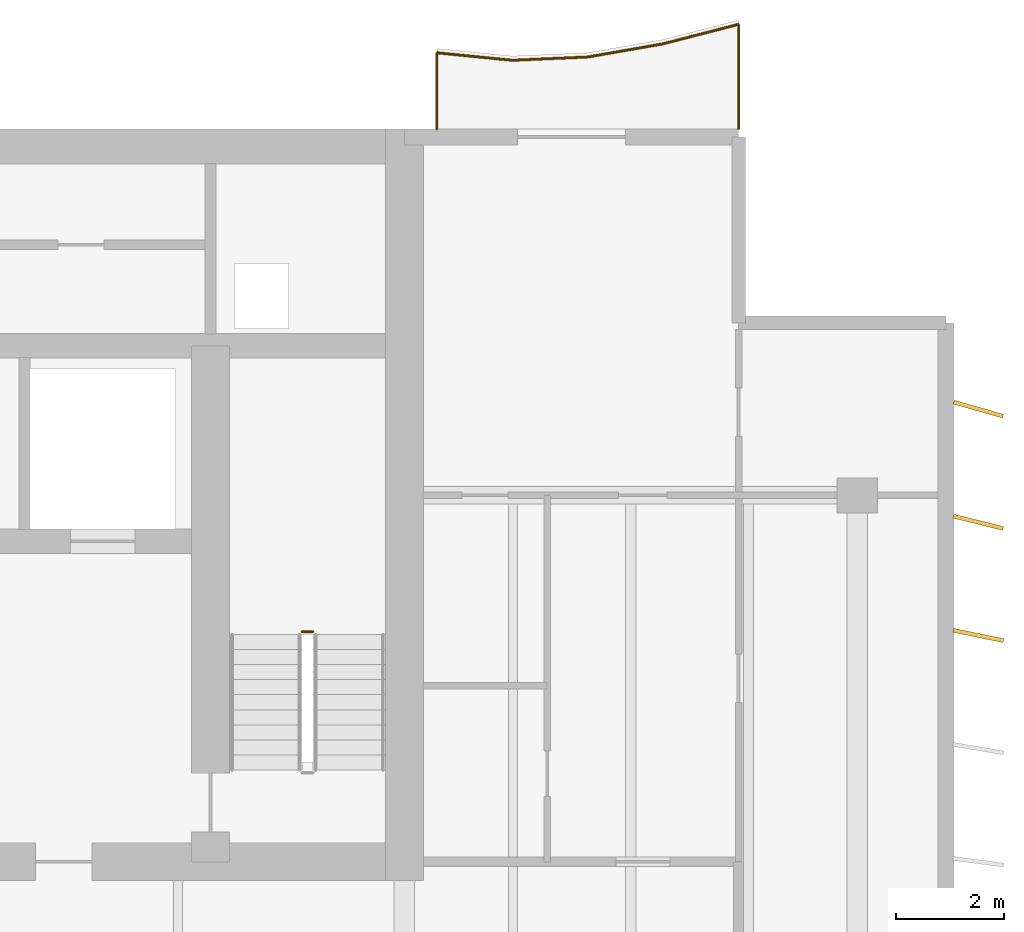
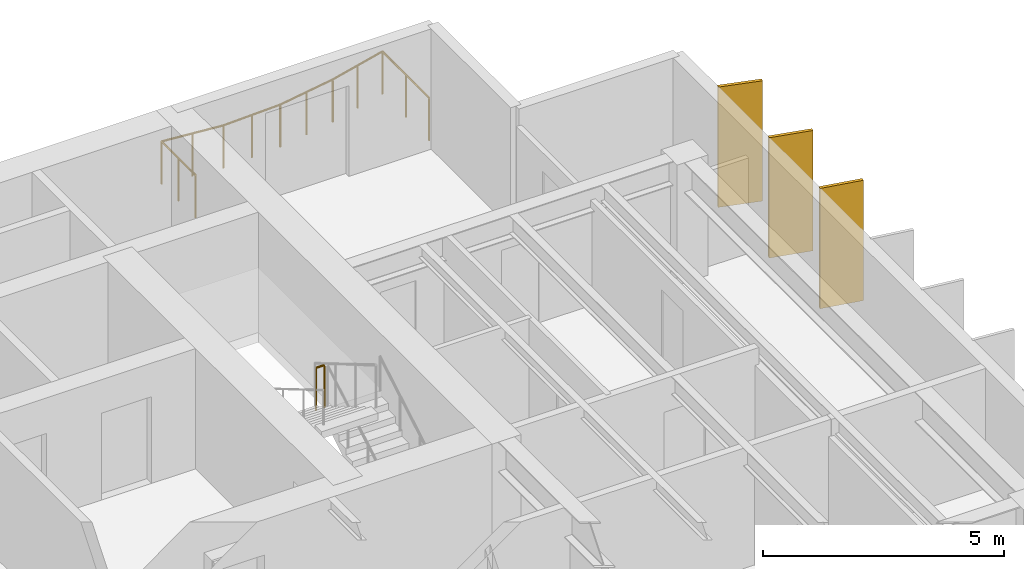
# One storey, part 16 of 16: 3 shading devices, 2 railings.
"""IFC4 building model written with IfcOpenShell, lengths in metres."""

from ifc_helpers import new_model, si_unit, direction, frame, origin, origin_2d, place, context, subcontext, project, spatial, rectangle, circle, extrude, material, material_profile, profile_set, type_object, element, save


model = new_model("IFC4")

# Units and contexts
model_context = context("Model", 3, precision=1e-05, world=origin(), true_north=direction((0.0, 1.0)))
body_context = subcontext(model_context, "Body", "Model", "MODEL_VIEW")
ifc_project = project(units=[si_unit("LENGTHUNIT", "METRE"), si_unit("AREAUNIT", "SQUARE_METRE"), si_unit("VOLUMEUNIT", "CUBIC_METRE"), si_unit("PLANEANGLEUNIT", "RADIAN"), si_unit("MASSUNIT", "GRAM", prefix="KILO")], contexts=[model_context])

# Site, building, storey
site_placement = place(None, origin())
site = spatial("IfcSite", under=ifc_project, at=site_placement, CompositionType="ELEMENT")
building_placement = place(site_placement, origin())
building = spatial("IfcBuilding", under=site, at=building_placement, Name="Caelmar Bay Residences", CompositionType="ELEMENT")
storey_placement = place(building_placement, frame((0.0, 0.0, 233.10009765625)))
storey = spatial("IfcBuildingStorey", under=building, at=storey_placement, Name="L65", CompositionType="ELEMENT", Elevation=233.10009765625)

# Railings
ifc_material_1 = material(Name="Anodised bronze handrail with laminated hurricane glass infill", Category="glass")
railing_type_1 = type_object("IfcRailingType", Name="RL-BAL-1100", PredefinedType="BALUSTRADE", material=ifc_material_1)
railing_1_placement = place(storey_placement, frame((65.699951171875, 50.60009765625, 0.0)))
element("IfcRailing", 1, at=railing_1_placement, inside=storey, type_object=railing_type_1, Name="L65 north_east Balcony Balustrade", PredefinedType="BALUSTRADE", context=body_context, shape_type="SweptSolid", body=[
    extrude(circle(Radius=0.02392578125, at=origin_2d()), frame((0.0, 0.0, 1.076171875), z_axis=(0.0, 1.0, 0.0), x_axis=(-1.0, 0.0, 0.0)), (0.0, 0.0, 1.0), 1.94140625),
    extrude(circle(Radius=0.02392578125, at=origin_2d()), frame((0.0, 1.94140625, 1.076171875), z_axis=(-0.968103147298, -0.250551983012, 0.0), x_axis=(0.250551983012, -0.968103147298, 0.0)), (0.0, 0.0, 1.0), 1.446044921875),
    extrude(circle(Radius=0.02392578125, at=origin_2d()), frame((-1.39990234375, 1.5791015625, 1.076171875), z_axis=(-0.985106932591, -0.171942814215, 0.0), x_axis=(0.171942814215, -0.985106932591, 0.0)), (0.0, 0.0, 1.0), 1.42138671875),
    extrude(circle(Radius=0.02392578125, at=origin_2d()), frame((-2.800048828125, 1.334716796875, 1.076171875), z_axis=(-0.999058458158, -0.043384296491, 0.0), x_axis=(0.043384296491, -0.999058458158, 0.0)), (0.0, 0.0, 1.0), 1.401123046875),
    extrude(circle(Radius=0.02392578125, at=origin_2d()), frame((-4.199951171875, 1.27392578125, 1.076171875), z_axis=(-0.99509543912, 0.098919497785, 0.0), x_axis=(-0.098919497785, -0.99509543912, 0.0)), (0.0, 0.0, 1.0), 1.40673828125),
    extrude(circle(Radius=0.02392578125, at=origin_2d()), frame((-5.599853515625, 1.4130859375, 1.076171875), z_axis=(0.0, -1.0, 0.0), x_axis=(1.0, 0.0, 0.0)), (0.0, 0.0, 1.0), 1.4130859375),
    extrude(circle(Radius=0.02099609375, at=origin_2d()), origin(), (0.0, 0.0, 1.0), 1.052001953125),
    extrude(circle(Radius=0.02099609375, at=origin_2d()), frame((0.0, 0.970703125, 0.0)), (0.0, 0.0, 1.0), 1.052001953125),
    extrude(circle(Radius=0.02099609375, at=origin_2d()), frame((0.0, 1.94140625, 0.0)), (0.0, 0.0, 1.0), 1.052001953125),
    extrude(circle(Radius=0.02099609375, at=origin_2d()), frame((-0.699951171875, 1.76025390625, 0.0)), (0.0, 0.0, 1.0), 1.052001953125),
    extrude(circle(Radius=0.02099609375, at=origin_2d()), frame((-1.39990234375, 1.5791015625, 0.0)), (0.0, 0.0, 1.0), 1.052001953125),
    extrude(circle(Radius=0.02099609375, at=origin_2d()), frame((-2.10009765625, 1.45703125, 0.0)), (0.0, 0.0, 1.0), 1.052001953125),
    extrude(circle(Radius=0.02099609375, at=origin_2d()), frame((-2.800048828125, 1.334716796875, 0.0)), (0.0, 0.0, 1.0), 1.052001953125),
    extrude(circle(Radius=0.02099609375, at=origin_2d()), frame((-3.5, 1.30419921875, 0.0)), (0.0, 0.0, 1.0), 1.052001953125),
    extrude(circle(Radius=0.02099609375, at=origin_2d()), frame((-4.199951171875, 1.27392578125, 0.0)), (0.0, 0.0, 1.0), 1.052001953125),
    extrude(circle(Radius=0.02099609375, at=origin_2d()), frame((-4.89990234375, 1.343505859375, 0.0)), (0.0, 0.0, 1.0), 1.052001953125),
    extrude(circle(Radius=0.02099609375, at=origin_2d()), frame((-5.599853515625, 1.4130859375, 0.0)), (0.0, 0.0, 1.0), 1.052001953125),
    extrude(circle(Radius=0.02099609375, at=origin_2d()), frame((-5.599853515625, 0.70654296875, 0.0)), (0.0, 0.0, 1.0), 1.052001953125),
    extrude(circle(Radius=0.02099609375, at=origin_2d()), frame((-5.599853515625, 0.0, 0.0)), (0.0, 0.0, 1.0), 1.052001953125),
])
ifc_material_2 = material(Name="Painted galvanized steel stair guard 1100 mm", Category="steel")
railing_type_2 = type_object("IfcRailingType", Name="RL-GRD-1100", PredefinedType="GUARDRAIL", material=ifc_material_2)
railing_2_placement = place(storey_placement, frame((57.800048828125, 41.27001953125, 1.64990234375)))
element("IfcRailing", 2, at=railing_2_placement, inside=storey, type_object=railing_type_2, Name="L65 ST2 stair guard 2", PredefinedType="GUARDRAIL", context=body_context, shape_type="SweptSolid", body=[
    extrude(circle(Radius=0.02392578125, at=origin_2d()), frame((0.0, 0.0, 1.076171875), z_axis=(-1.0, 0.0, 0.0), x_axis=(0.0, -1.0, 0.0)), (0.0, 0.0, 1.0), 0.199951171875),
    extrude(circle(Radius=0.02099609375, at=origin_2d()), origin(), (0.0, 0.0, 1.0), 1.052001953125),
    extrude(circle(Radius=0.02099609375, at=origin_2d()), frame((-0.199951171875, 0.0, 0.0)), (0.0, 0.0, 1.0), 1.052001953125),
])

# Shading devices
ifc_material_3 = material(Name="Anodised architectural bronze aluminium 6063-T6", Category="aluminium")
ifc_material_profile = material_profile(ifc_material_3, rectangle(XDim=0.074951171875, YDim=0.949951171875, at=origin_2d()), Name="BRONZE-FIN-75X950")
ifc_profile_set = profile_set([ifc_material_profile], Name="Anodised architectural bronze aluminium 6063-T6")
shading_device_type = type_object("IfcShadingDeviceType", Name="SHD-FIN-950", PredefinedType="USERDEFINED", material=ifc_profile_set)
for number, where, z_axis, x_axis, name in (
    (3, (70.14990234375, 41.199951171875, 0.0), (0.0, 0.0, 1.0), (0.2032999874, 0.979116497217, 0.0), "L65 East Bronze Solar Fin 14"),
    (4, (70.14990234375, 43.300048828125, 0.0), (0.0, 0.0, 1.0), (0.239719743609, 0.970842131618, 0.0), "L65 East Bronze Solar Fin 15"),
    (5, (70.14990234375, 45.39990234375, 0.0), (0.0, 0.0, 1.0), (0.275637355817, 0.961261695938, 0.0), "L65 East Bronze Solar Fin 16"),
):
    element("IfcShadingDevice", number, at=place(storey_placement, frame(where, z_axis=z_axis, x_axis=x_axis)), inside=storey, type_object=shading_device_type, Name=name, ObjectType="FIN", PredefinedType="USERDEFINED", context=body_context, shape_type="SweptSolid", body=[
        extrude(rectangle(XDim=0.074951171875, YDim=0.949951171875, at=origin_2d()), origin(), (0.0, 0.0, 1.0), 3.0498046875),
    ])

save(model, "model.ifc")
